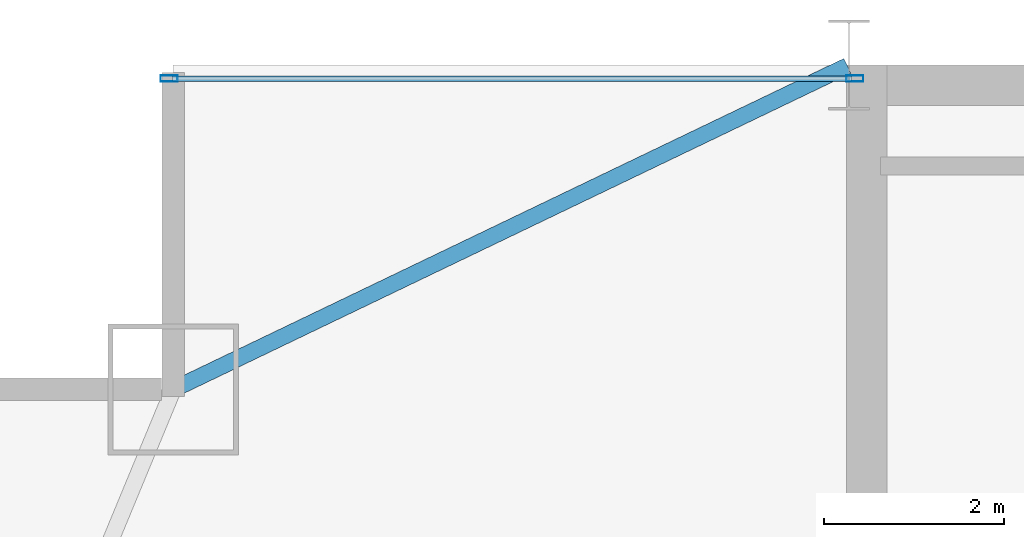
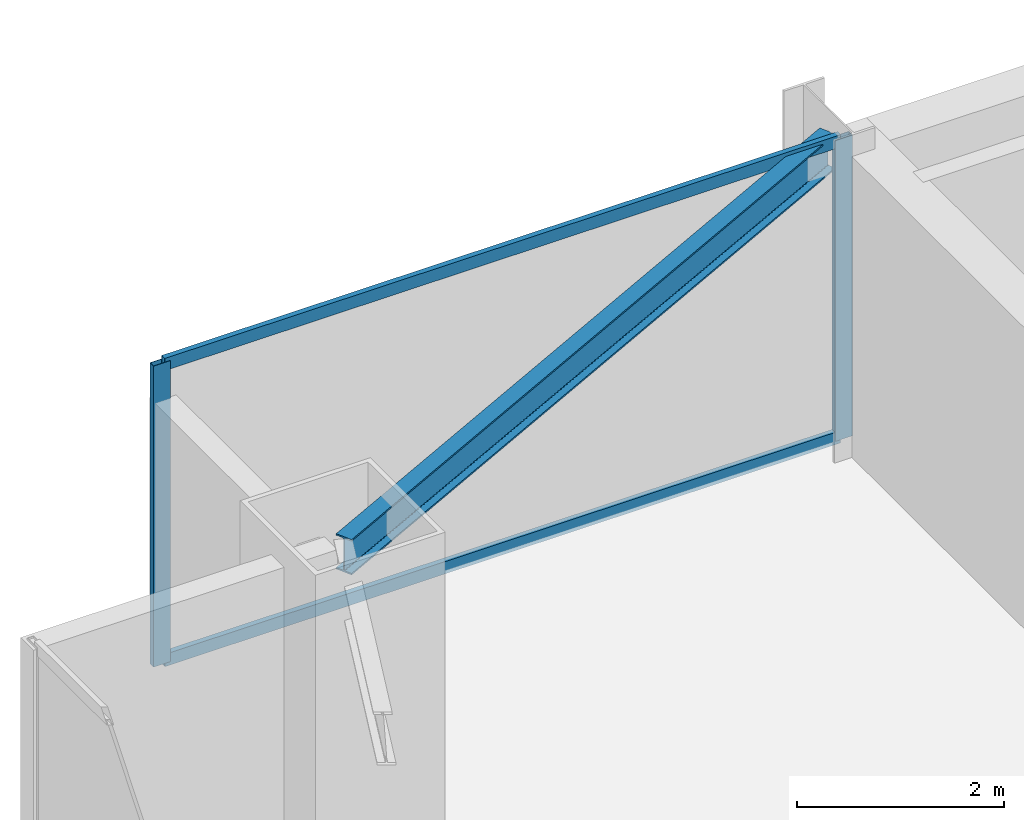
# One storey, part 22 of 34: 4 members, 1 beam, 1 element without a shape of its own.
"""IFC4 building model written with IfcOpenShell, lengths in metres."""

from ifc_helpers import new_model, si_unit, direction, frame, origin, origin_2d, place, context, subcontext, project, spatial, hollow_rectangle, i_section, extrude, source, transform, mapped, material, layer, layer_set, material_profile, profile_set, type_object, type_shapes, element, aggregate, save


model = new_model("IFC4")

# Units and contexts
model_context = context("Model", 3, precision=1e-05, world=origin(), true_north=direction((0.0, 1.0)))
body_context = subcontext(model_context, "Body", "Model", "MODEL_VIEW")
ifc_project = project(units=[si_unit("LENGTHUNIT", "METRE"), si_unit("AREAUNIT", "SQUARE_METRE"), si_unit("VOLUMEUNIT", "CUBIC_METRE"), si_unit("PLANEANGLEUNIT", "RADIAN"), si_unit("MASSUNIT", "GRAM", prefix="KILO")], contexts=[model_context])

# Site, building, storey
site_placement = place(None, origin())
site = spatial("IfcSite", under=ifc_project, at=site_placement, CompositionType="ELEMENT")
building_placement = place(site_placement, origin())
building = spatial("IfcBuilding", under=site, at=building_placement, Name="Varnel Quay Broadcast Tower", CompositionType="ELEMENT")
storey_placement = place(building_placement, frame((0.0, 0.0, 110.60009765625)))
storey = spatial("IfcBuildingStorey", under=building, at=storey_placement, Name="L26", CompositionType="ELEMENT", Elevation=110.60009765625)

# Beam
ifc_material_1 = material(Name="Structural Steel CSA G40.21 350W", Category="steel")
ifc_material_profile_1 = material_profile(ifc_material_1, i_section(OverallWidth=0.180908203125, OverallDepth=0.4169921875, WebThickness=0.010986328125, FlangeThickness=0.018310546875, FilletRadius=0.011962890625, at=origin_2d()), Name="W410X85")
ifc_profile_set_1 = profile_set([ifc_material_profile_1], Name="Structural Steel CSA G40.21 350W")
beam_type = type_object("IfcBeamType", Name="Beam_W410X85", PredefinedType="SPANDREL", material=ifc_profile_set_1)
shared_shape_1 = source(origin(), body_context, "Body", "SweptSolid", [
    extrude(i_section(OverallWidth=0.180908203125, OverallDepth=0.4169921875, WebThickness=0.010986328125, FlangeThickness=0.018310546875, FilletRadius=0.011962890625, at=origin_2d()), origin(), (0.0, 0.0, 1.0), 8.279296875),
])
type_shapes(beam_type, [shared_shape_1])
beam_placement = place(storey_placement, frame((8.117919921875, 43.208740234375, 3.34130859375), z_axis=(0.901535021024, 0.432706142626, 0.0), x_axis=(-0.432706142626, 0.901535021024, 0.0)))
element("IfcBeam", 1, at=beam_placement, inside=storey, type_object=beam_type, Name="L26 NW Tie Spandrel", PredefinedType="SPANDREL", context=body_context, shape_type="MappedRepresentation", body=[
    mapped(shared_shape_1, transform((0.0, 0.0, 0.0), x_axis=(1.0, 0.0, 0.0), y_axis=(0.0, 1.0, 0.0), z_axis=(0.0, 0.0, 1.0), scale=1.0)),
])

# Curtain wall, members
ifc_material_2 = material(Name="Anodised Bronze Aluminium 6063-T6", Category="aluminium")
ifc_layer = layer(ifc_material_2, 0.18994140625, Name="Anodised Bronze Aluminium 6063-T6")
ifc_layer_set = layer_set([ifc_layer], Name="Anodised Bronze Aluminium 6063-T6")
curtain_wall_type = type_object("IfcCurtainWallType", Name="CW_LowerTower", PredefinedType="NOTDEFINED", material=ifc_layer_set)
curtain_wall_placement = place(storey_placement, origin())
curtain_wall = element("IfcCurtainWall", 2, at=curtain_wall_placement, inside=storey, type_object=curtain_wall_type, Name="L26 NW Wing Curtain Wall", PredefinedType="NOTDEFINED")
ifc_material_profile_2 = material_profile(ifc_material_2, hollow_rectangle(XDim=0.06005859375, YDim=0.14501953125, WallThickness=0.00341796875, at=origin_2d()), Name="ALU60X145X3.5")
ifc_profile_set_2 = profile_set([ifc_material_profile_2], Name="Anodised Bronze Aluminium 6063-T6")
member_type_1 = type_object("IfcMemberType", Name="Tran_CWS-02", PredefinedType="USERDEFINED", material=ifc_profile_set_2)
shared_shape_2 = source(origin(), body_context, "Body", "SweptSolid", [
    extrude(hollow_rectangle(XDim=0.06005859375, YDim=0.14501953125, WallThickness=0.00341796875, at=origin_2d()), origin(), (0.0, 0.0, 1.0), 7.539794921875),
])
type_shapes(member_type_1, [shared_shape_2])
member_1_placement = place(storey_placement, frame((8.090087890625, 46.64990234375, 0.02978515625), z_axis=(1.0, 0.0, 0.0), x_axis=(0.0, 1.0, 0.0)))
member_1 = element("IfcMember", 3, at=member_1_placement, type_object=member_type_1, Name="CWS-02 transom 1.1", ObjectType="TRANSOM", PredefinedType="USERDEFINED", context=body_context, shape_type="MappedRepresentation", body=[
    mapped(shared_shape_2, transform((0.0, 0.0, 0.0), x_axis=(1.0, 0.0, 0.0), y_axis=(0.0, 1.0, 0.0), z_axis=(0.0, 0.0, 1.0), scale=1.0)),
])
member_2_placement = place(storey_placement, frame((8.090087890625, 46.64990234375, 3.52001953125), z_axis=(1.0, 0.0, 0.0), x_axis=(0.0, 1.0, 0.0)))
member_2 = element("IfcMember", 4, at=member_2_placement, type_object=member_type_1, Name="CWS-02 transom 1.2", ObjectType="TRANSOM", PredefinedType="USERDEFINED", context=body_context, shape_type="MappedRepresentation", body=[
    mapped(shared_shape_2, transform((0.0, 0.0, 0.0), x_axis=(1.0, 0.0, 0.0), y_axis=(0.0, 1.0, 0.0), z_axis=(0.0, 0.0, 1.0), scale=1.0)),
])
ifc_material_profile_3 = material_profile(ifc_material_2, hollow_rectangle(XDim=0.070068359375, YDim=0.18994140625, WallThickness=0.00390625, at=origin_2d()), Name="ALU70X190X4")
ifc_profile_set_3 = profile_set([ifc_material_profile_3], Name="Anodised Bronze Aluminium 6063-T6")
member_type_2 = type_object("IfcMemberType", Name="Mull_CWS-02", PredefinedType="MULLION", material=ifc_profile_set_3)
shared_shape_3 = source(origin(), body_context, "Body", "SweptSolid", [
    extrude(hollow_rectangle(XDim=0.070068359375, YDim=0.18994140625, WallThickness=0.00390625, at=origin_2d()), origin(), (0.0, 0.0, 1.0), 3.5498046875),
])
type_shapes(member_type_2, [shared_shape_3])
member_3_placement = place(storey_placement, frame((8.054931640625, 46.64990234375, 0.0), z_axis=(0.0, 0.0, 1.0), x_axis=(0.0, 1.0, 0.0)))
member_3 = element("IfcMember", 5, at=member_3_placement, type_object=member_type_2, Name="CWS-02 mullion 1", PredefinedType="MULLION", context=body_context, shape_type="MappedRepresentation", body=[
    mapped(shared_shape_3, transform((0.0, 0.0, 0.0), x_axis=(1.0, 0.0, 0.0), y_axis=(0.0, 1.0, 0.0), z_axis=(0.0, 0.0, 1.0), scale=1.0)),
])
member_4_placement = place(storey_placement, frame((15.6650390625, 46.64990234375, 0.0), z_axis=(0.0, 0.0, 1.0), x_axis=(0.0, 1.0, 0.0)))
member_4 = element("IfcMember", 6, at=member_4_placement, type_object=member_type_2, Name="CWS-02 mullion 2", PredefinedType="MULLION", context=body_context, shape_type="MappedRepresentation", body=[
    mapped(shared_shape_3, transform((0.0, 0.0, 0.0), x_axis=(1.0, 0.0, 0.0), y_axis=(0.0, 1.0, 0.0), z_axis=(0.0, 0.0, 1.0), scale=1.0)),
])
aggregate(curtain_wall, [member_3, member_4, member_1, member_2])

save(model, "model.ifc")
